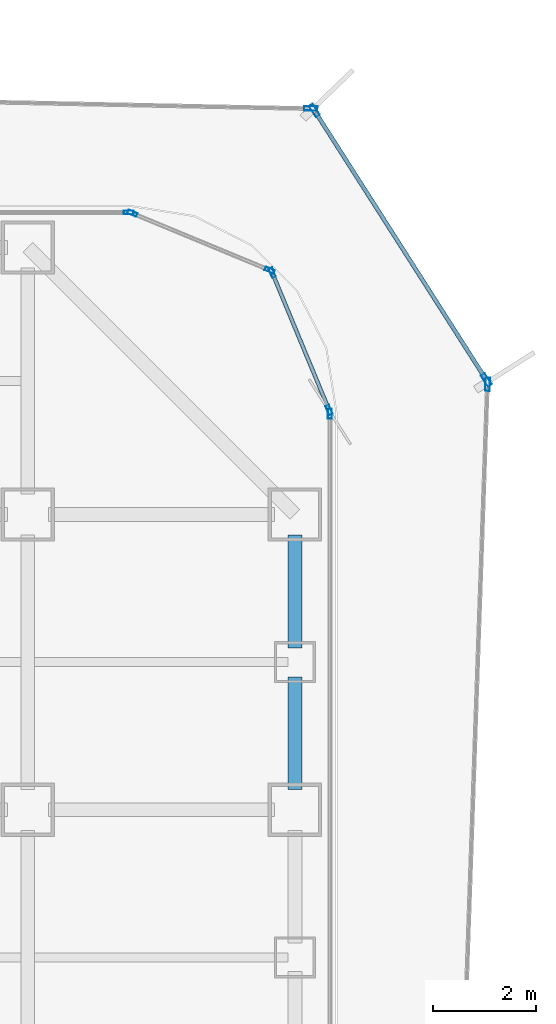
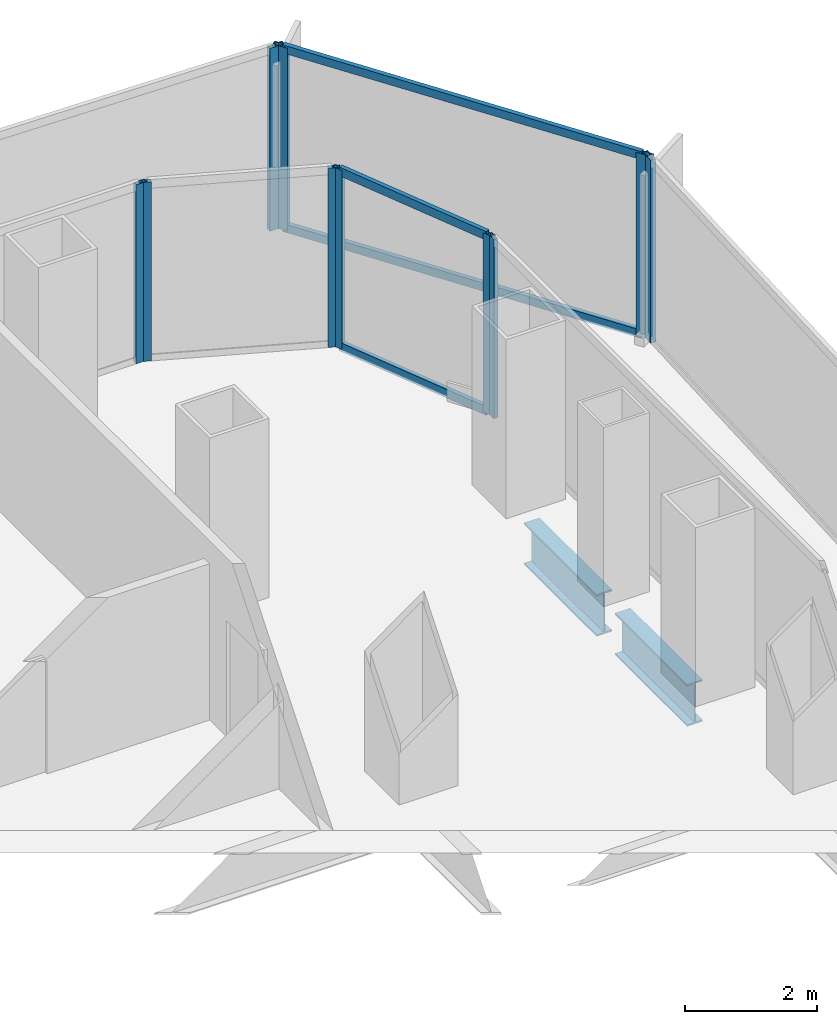
# One storey, part 15 of 22: 14 members, 2 beams, 7 elements without a shape of their own.
"""IFC4 building model written with IfcOpenShell, lengths in metres."""

from ifc_helpers import new_model, si_unit, direction, frame, origin, origin_2d, place, context, subcontext, project, spatial, hollow_rectangle, i_section, extrude, source, transform, mapped, material, layer, layer_set, material_profile, profile_set, type_object, element, aggregate, save


model = new_model("IFC4")

# Units and contexts
model_context = context("Model", 3, precision=1e-05, world=origin(), true_north=direction((0.0, 1.0)))
body_context = subcontext(model_context, "Body", "Model", "MODEL_VIEW")
ifc_project = project(units=[si_unit("LENGTHUNIT", "METRE"), si_unit("AREAUNIT", "SQUARE_METRE"), si_unit("VOLUMEUNIT", "CUBIC_METRE"), si_unit("PLANEANGLEUNIT", "RADIAN"), si_unit("MASSUNIT", "GRAM", prefix="KILO")], contexts=[model_context])

# Site, building, storey
site_placement = place(None, origin())
site = spatial("IfcSite", under=ifc_project, at=site_placement, CompositionType="ELEMENT")
building_placement = place(site_placement, origin())
building = spatial("IfcBuilding", under=site, at=building_placement, Name="Kolveth Station Tower", CompositionType="ELEMENT")
storey_placement = place(building_placement, frame((0.0, 0.0, 65.699951171875)))
storey = spatial("IfcBuildingStorey", under=building, at=storey_placement, Name="L17", CompositionType="ELEMENT", Elevation=65.699951171875)

# Beams
ifc_material_1 = material(Name="Steel S355", Category="steel")
ifc_material_profile_1 = material_profile(ifc_material_1, i_section(OverallWidth=0.26904296875, OverallDepth=0.77490234375, WebThickness=0.01708984375, FlangeThickness=0.0283203125, at=origin_2d()), Name="W760x220")
ifc_profile_set_1 = profile_set([ifc_material_profile_1], Name="Steel S355")
beam_type = type_object("IfcBeamType", Name="Beam_SP1", PredefinedType="SPANDREL", material=ifc_profile_set_1)
shared_shape_1 = source(origin(), body_context, "Body", "SweptSolid", [
    extrude(i_section(OverallWidth=0.26904296875, OverallDepth=0.77490234375, WebThickness=0.01708984375, FlangeThickness=0.0283203125, at=origin_2d()), origin(), (0.0, 0.0, 1.0), 2.2001953125),
])
beam_1_placement = place(storey_placement, frame((46.199951171875, 31.89990234375, -0.66748046875), z_axis=(0.0, 1.0, 0.0), x_axis=(-1.0, 0.0, 0.0)))
element("IfcBeam", 1, at=beam_1_placement, inside=storey, type_object=beam_type, Name="L17 Perimeter Spandrel BM-L17-PE-10", PredefinedType="SPANDREL", context=body_context, shape_type="MappedRepresentation", body=[
    mapped(shared_shape_1, transform((0.0, 0.0, 0.0), x_axis=(1.0, 0.0, 0.0), y_axis=(0.0, 1.0, 0.0), z_axis=(0.0, 0.0, 1.0), scale=1.0)),
])
shared_shape_2 = source(origin(), body_context, "Body", "SweptSolid", [
    extrude(i_section(OverallWidth=0.26904296875, OverallDepth=0.77490234375, WebThickness=0.01708984375, FlangeThickness=0.0283203125, at=origin_2d()), origin(), (0.0, 0.0, 1.0), 2.190185546875),
])
beam_2_placement = place(storey_placement, frame((46.199951171875, 29.14990234375, -0.66748046875), z_axis=(0.0, 1.0, 0.0), x_axis=(-1.0, 0.0, 0.0)))
element("IfcBeam", 2, at=beam_2_placement, inside=storey, type_object=beam_type, Name="L17 Perimeter Spandrel BM-L17-PE-9", PredefinedType="SPANDREL", context=body_context, shape_type="MappedRepresentation", body=[
    mapped(shared_shape_2, transform((0.0, 0.0, 0.0), x_axis=(1.0, 0.0, 0.0), y_axis=(0.0, 1.0, 0.0), z_axis=(0.0, 0.0, 1.0), scale=1.0)),
])

# Curtain wall, member
ifc_material_2 = material(Name="Aluminium 6063-T6 and low-E dark glass", Category="aluminium")
ifc_layer_1 = layer(ifc_material_2, 0.179931640625)
ifc_layer_set_1 = layer_set([ifc_layer_1], Name="Aluminium 6063-T6 and low-E dark glass")
curtain_wall_type_1 = type_object("IfcCurtainWallType", Name="CurtainWall_CW-Z1", PredefinedType="NOTDEFINED", material=ifc_layer_set_1)
curtain_wall_1_placement = place(storey_placement, origin())
curtain_wall_1 = element("IfcCurtainWall", 3, at=curtain_wall_1_placement, inside=storey, type_object=curtain_wall_type_1, Name="L17 Inner Thermal Curtain Wall 3", PredefinedType="NOTDEFINED")
ifc_material_3 = material(Name="Black anodized aluminium 6063-T6", Category="aluminium")
ifc_material_profile_2 = material_profile(ifc_material_3, hollow_rectangle(XDim=0.074951171875, YDim=0.18994140625, WallThickness=0.0048828125, at=origin_2d()), Name="ALU-75x190x5")
ifc_profile_set_2 = profile_set([ifc_material_profile_2], Name="Black anodized aluminium 6063-T6")
member_type_1 = type_object("IfcMemberType", Name="Mullion_ML1", PredefinedType="MULLION", material=ifc_profile_set_2)
shared_shape_3 = source(origin(), body_context, "Body", "SweptSolid", [
    extrude(hollow_rectangle(XDim=0.074951171875, YDim=0.18994140625, WallThickness=0.0048828125, at=origin_2d()), origin(), (0.0, 0.0, 1.0), 3.320068359375),
])
member_1_placement = place(storey_placement, frame((46.8798828125, 36.46240234375, 0.0), z_axis=(0.0, 0.0, 1.0), x_axis=(-1.0, 0.0, 0.0)))
member_1 = element("IfcMember", 4, at=member_1_placement, type_object=member_type_1, Name="CW-Z1 mullion 2", PredefinedType="MULLION", context=body_context, shape_type="MappedRepresentation", body=[
    mapped(shared_shape_3, transform((0.0, 0.0, 0.0), x_axis=(1.0, 0.0, 0.0), y_axis=(0.0, 1.0, 0.0), z_axis=(0.0, 0.0, 1.0), scale=1.0)),
])
aggregate(curtain_wall_1, [member_1])

# Curtain wall, members
curtain_wall_2_placement = place(storey_placement, origin())
curtain_wall_2 = element("IfcCurtainWall", 5, at=curtain_wall_2_placement, inside=storey, type_object=curtain_wall_type_1, Name="L17 Inner Thermal Curtain Wall 4", PredefinedType="NOTDEFINED")
member_2_placement = place(storey_placement, frame((46.86572265625, 36.53466796875, 0.0), z_axis=(0.0, 0.0, 1.0), x_axis=(-0.923883857728, -0.382672990201, 0.0)))
member_2 = element("IfcMember", 6, at=member_2_placement, type_object=member_type_1, Name="CW-Z1 mullion 1", PredefinedType="MULLION", context=body_context, shape_type="MappedRepresentation", body=[
    mapped(shared_shape_3, transform((0.0, 0.0, 0.0), x_axis=(1.0, 0.0, 0.0), y_axis=(0.0, 1.0, 0.0), z_axis=(0.0, 0.0, 1.0), scale=1.0)),
])
member_3_placement = place(storey_placement, frame((45.758056640625, 39.208984375, 0.0), z_axis=(0.0, 0.0, 1.0), x_axis=(-0.923883857728, -0.382672990201, 0.0)))
member_3 = element("IfcMember", 7, at=member_3_placement, type_object=member_type_1, Name="CW-Z1 mullion 2", PredefinedType="MULLION", context=body_context, shape_type="MappedRepresentation", body=[
    mapped(shared_shape_3, transform((0.0, 0.0, 0.0), x_axis=(1.0, 0.0, 0.0), y_axis=(0.0, 1.0, 0.0), z_axis=(0.0, 0.0, 1.0), scale=1.0)),
])

curtain_wall_3_placement = place(storey_placement, origin())
curtain_wall_3 = element("IfcCurtainWall", 8, at=curtain_wall_3_placement, inside=storey, type_object=curtain_wall_type_1, Name="L17 Inner Thermal Curtain Wall 5", PredefinedType="NOTDEFINED")
member_4_placement = place(storey_placement, frame((45.708984375, 39.258056640625, 0.0), z_axis=(0.0, 0.0, 1.0), x_axis=(-0.382672990201, -0.923883857728, 0.0)))
member_4 = element("IfcMember", 9, at=member_4_placement, type_object=member_type_1, Name="CW-Z1 mullion 1", PredefinedType="MULLION", context=body_context, shape_type="MappedRepresentation", body=[
    mapped(shared_shape_3, transform((0.0, 0.0, 0.0), x_axis=(1.0, 0.0, 0.0), y_axis=(0.0, 1.0, 0.0), z_axis=(0.0, 0.0, 1.0), scale=1.0)),
])
member_5_placement = place(storey_placement, frame((43.03466796875, 40.36572265625, 0.0), z_axis=(0.0, 0.0, 1.0), x_axis=(-0.382672990201, -0.923883857728, 0.0)))
member_5 = element("IfcMember", 10, at=member_5_placement, type_object=member_type_1, Name="CW-Z1 mullion 2", PredefinedType="MULLION", context=body_context, shape_type="MappedRepresentation", body=[
    mapped(shared_shape_3, transform((0.0, 0.0, 0.0), x_axis=(1.0, 0.0, 0.0), y_axis=(0.0, 1.0, 0.0), z_axis=(0.0, 0.0, 1.0), scale=1.0)),
])
aggregate(curtain_wall_3, [member_4, member_5])

# Curtain wall, member
curtain_wall_4_placement = place(storey_placement, origin())
curtain_wall_4 = element("IfcCurtainWall", 11, at=curtain_wall_4_placement, inside=storey, type_object=curtain_wall_type_1, Name="L17 Inner Thermal Curtain Wall 6", PredefinedType="NOTDEFINED")
member_6_placement = place(storey_placement, frame((42.96240234375, 40.3798828125, 0.0), z_axis=(0.0, 0.0, 1.0), x_axis=(0.0, -1.0, 0.0)))
member_6 = element("IfcMember", 12, at=member_6_placement, type_object=member_type_1, Name="CW-Z1 mullion 1", PredefinedType="MULLION", context=body_context, shape_type="MappedRepresentation", body=[
    mapped(shared_shape_3, transform((0.0, 0.0, 0.0), x_axis=(1.0, 0.0, 0.0), y_axis=(0.0, 1.0, 0.0), z_axis=(0.0, 0.0, 1.0), scale=1.0)),
])
aggregate(curtain_wall_4, [member_6])

# Member
ifc_material_profile_3 = material_profile(ifc_material_3, hollow_rectangle(XDim=0.074951171875, YDim=0.159912109375, WallThickness=0.0048828125, at=origin_2d()), Name="ALU-75x160x5")
ifc_profile_set_3 = profile_set([ifc_material_profile_3], Name="Black anodized aluminium 6063-T6")
member_type_2 = type_object("IfcMemberType", Name="Transom_TR1", PredefinedType="USERDEFINED", material=ifc_profile_set_3)
shared_shape_4 = source(origin(), body_context, "Body", "SweptSolid", [
    extrude(hollow_rectangle(XDim=0.074951171875, YDim=0.159912109375, WallThickness=0.0048828125, at=origin_2d()), origin(), (0.0, 0.0, 1.0), 2.819580078125),
])
member_7_placement = place(storey_placement, frame((46.851318359375, 36.5693359375, 0.03759765625), z_axis=(-0.382708655389, 0.923869084389, 0.0), x_axis=(-0.923869084389, -0.382708655389, 0.0)))
member_7 = element("IfcMember", 13, at=member_7_placement, type_object=member_type_2, Name="CW-Z1 transom 1.1", ObjectType="TRANSOM", PredefinedType="USERDEFINED", context=body_context, shape_type="MappedRepresentation", body=[
    mapped(shared_shape_4, transform((0.0, 0.0, 0.0), x_axis=(1.0, 0.0, 0.0), y_axis=(0.0, 1.0, 0.0), z_axis=(0.0, 0.0, 1.0), scale=1.0)),
])

member_8_placement = place(storey_placement, frame((46.851318359375, 36.5693359375, 3.282470703125), z_axis=(-0.382708655389, 0.923869084389, 0.0), x_axis=(-0.923869084389, -0.382708655389, 0.0)))
member_8 = element("IfcMember", 14, at=member_8_placement, type_object=member_type_2, Name="CW-Z1 transom 1.2", ObjectType="TRANSOM", PredefinedType="USERDEFINED", context=body_context, shape_type="MappedRepresentation", body=[
    mapped(shared_shape_4, transform((0.0, 0.0, 0.0), x_axis=(1.0, 0.0, 0.0), y_axis=(0.0, 1.0, 0.0), z_axis=(0.0, 0.0, 1.0), scale=1.0)),
])

aggregate(curtain_wall_2, [member_2, member_3, member_7, member_8])

# Curtain wall, member
ifc_material_4 = material(Name="Black anodized aluminium 6063-T6 and dark solar glass", Category="aluminium")
ifc_layer_2 = layer(ifc_material_4, 0.159912109375)
ifc_layer_set_2 = layer_set([ifc_layer_2], Name="Black anodized aluminium 6063-T6 and dark solar glass")
curtain_wall_type_2 = type_object("IfcCurtainWallType", Name="OUTER SKIN CW-OS", PredefinedType="NOTDEFINED", material=ifc_layer_set_2)
curtain_wall_5_placement = place(storey_placement, origin())
curtain_wall_5 = element("IfcCurtainWall", 15, at=curtain_wall_5_placement, inside=storey, type_object=curtain_wall_type_2, Name="L17 Outer Ventilated Skin Curtain Wall 2", PredefinedType="NOTDEFINED")
ifc_material_profile_4 = material_profile(ifc_material_3, hollow_rectangle(XDim=0.090087890625, YDim=0.260009765625, WallThickness=0.0048828125, at=origin_2d()), Name="ALU-90x260x5")
ifc_profile_set_4 = profile_set([ifc_material_profile_4], Name="Black anodized aluminium 6063-T6")
member_type_3 = type_object("IfcMemberType", Name="FIN MULLION ML-OS", PredefinedType="MULLION", material=ifc_profile_set_4)
shared_shape_5 = source(origin(), body_context, "Body", "SweptSolid", [
    extrude(hollow_rectangle(XDim=0.090087890625, YDim=0.260009765625, WallThickness=0.0048828125, at=origin_2d()), origin(), (0.0, 0.0, 1.0), 3.39013671875),
])
member_9_placement = place(storey_placement, frame((49.951904296875, 37.035400390625, 0.0), z_axis=(0.0, 0.0, 1.0), x_axis=(-0.999396307707, 0.034742195394, 0.0)))
member_9 = element("IfcMember", 16, at=member_9_placement, type_object=member_type_3, Name="CW-OS mullion 2", PredefinedType="MULLION", context=body_context, shape_type="MappedRepresentation", body=[
    mapped(shared_shape_5, transform((0.0, 0.0, 0.0), x_axis=(1.0, 0.0, 0.0), y_axis=(0.0, 1.0, 0.0), z_axis=(0.0, 0.0, 1.0), scale=1.0)),
])
aggregate(curtain_wall_5, [member_9])

# Curtain wall, members
curtain_wall_6_placement = place(storey_placement, origin())
curtain_wall_6 = element("IfcCurtainWall", 17, at=curtain_wall_6_placement, inside=storey, type_object=curtain_wall_type_2, Name="L17 Outer Ventilated Skin Curtain Wall 3", PredefinedType="NOTDEFINED")
member_10_placement = place(storey_placement, frame((49.92919921875, 37.118408203125, 0.0), z_axis=(0.0, 0.0, 1.0), x_axis=(-0.842942521952, -0.538003628878, 0.0)))
member_10 = element("IfcMember", 18, at=member_10_placement, type_object=member_type_3, Name="CW-OS mullion 1", PredefinedType="MULLION", context=body_context, shape_type="MappedRepresentation", body=[
    mapped(shared_shape_5, transform((0.0, 0.0, 0.0), x_axis=(1.0, 0.0, 0.0), y_axis=(0.0, 1.0, 0.0), z_axis=(0.0, 0.0, 1.0), scale=1.0)),
])
member_11_placement = place(storey_placement, frame((46.57861328125, 42.3681640625, 0.0), z_axis=(0.0, 0.0, 1.0), x_axis=(-0.842942521952, -0.538003628878, 0.0)))
member_11 = element("IfcMember", 19, at=member_11_placement, type_object=member_type_3, Name="CW-OS mullion 2", PredefinedType="MULLION", context=body_context, shape_type="MappedRepresentation", body=[
    mapped(shared_shape_5, transform((0.0, 0.0, 0.0), x_axis=(1.0, 0.0, 0.0), y_axis=(0.0, 1.0, 0.0), z_axis=(0.0, 0.0, 1.0), scale=1.0)),
])

# Curtain wall, member
curtain_wall_7_placement = place(storey_placement, origin())
curtain_wall_7 = element("IfcCurtainWall", 20, at=curtain_wall_7_placement, inside=storey, type_object=curtain_wall_type_2, Name="L17 Outer Ventilated Skin Curtain Wall 4", PredefinedType="NOTDEFINED")
member_12_placement = place(storey_placement, frame((46.509521484375, 42.406982421875, 0.0), z_axis=(0.0, 0.0, 1.0), x_axis=(-0.020473736773, -0.999790391083, 0.0)))
member_12 = element("IfcMember", 21, at=member_12_placement, type_object=member_type_3, Name="CW-OS mullion 1", PredefinedType="MULLION", context=body_context, shape_type="MappedRepresentation", body=[
    mapped(shared_shape_5, transform((0.0, 0.0, 0.0), x_axis=(1.0, 0.0, 0.0), y_axis=(0.0, 1.0, 0.0), z_axis=(0.0, 0.0, 1.0), scale=1.0)),
])
aggregate(curtain_wall_7, [member_12])

# Member
ifc_material_profile_5 = material_profile(ifc_material_3, hollow_rectangle(XDim=0.080078125, YDim=0.14990234375, WallThickness=0.0048828125, at=origin_2d()), Name="ALU-80x150x5")
ifc_profile_set_5 = profile_set([ifc_material_profile_5], Name="Black anodized aluminium 6063-T6")
member_type_4 = type_object("IfcMemberType", Name="Transom_TR-OS", PredefinedType="USERDEFINED", material=ifc_profile_set_5)
shared_shape_6 = source(origin(), body_context, "Body", "SweptSolid", [
    extrude(hollow_rectangle(XDim=0.080078125, YDim=0.14990234375, WallThickness=0.0048828125, at=origin_2d()), origin(), (0.0, 0.0, 1.0), 6.13818359375),
])
member_13_placement = place(storey_placement, frame((49.905029296875, 37.15625, 0.0400390625), z_axis=(-0.537994564413, 0.84294830723, 0.0), x_axis=(-0.84294830723, -0.537994564413, 0.0)))
member_13 = element("IfcMember", 22, at=member_13_placement, type_object=member_type_4, Name="CW-OS transom 1.1", ObjectType="TRANSOM", PredefinedType="USERDEFINED", context=body_context, shape_type="MappedRepresentation", body=[
    mapped(shared_shape_6, transform((0.0, 0.0, 0.0), x_axis=(1.0, 0.0, 0.0), y_axis=(0.0, 1.0, 0.0), z_axis=(0.0, 0.0, 1.0), scale=1.0)),
])

member_14_placement = place(storey_placement, frame((49.905029296875, 37.15625, 3.35009765625), z_axis=(-0.537994564413, 0.84294830723, 0.0), x_axis=(-0.84294830723, -0.537994564413, 0.0)))
member_14 = element("IfcMember", 23, at=member_14_placement, type_object=member_type_4, Name="CW-OS transom 1.2", ObjectType="TRANSOM", PredefinedType="USERDEFINED", context=body_context, shape_type="MappedRepresentation", body=[
    mapped(shared_shape_6, transform((0.0, 0.0, 0.0), x_axis=(1.0, 0.0, 0.0), y_axis=(0.0, 1.0, 0.0), z_axis=(0.0, 0.0, 1.0), scale=1.0)),
])

aggregate(curtain_wall_6, [member_10, member_11, member_13, member_14])

save(model, "model.ifc")
